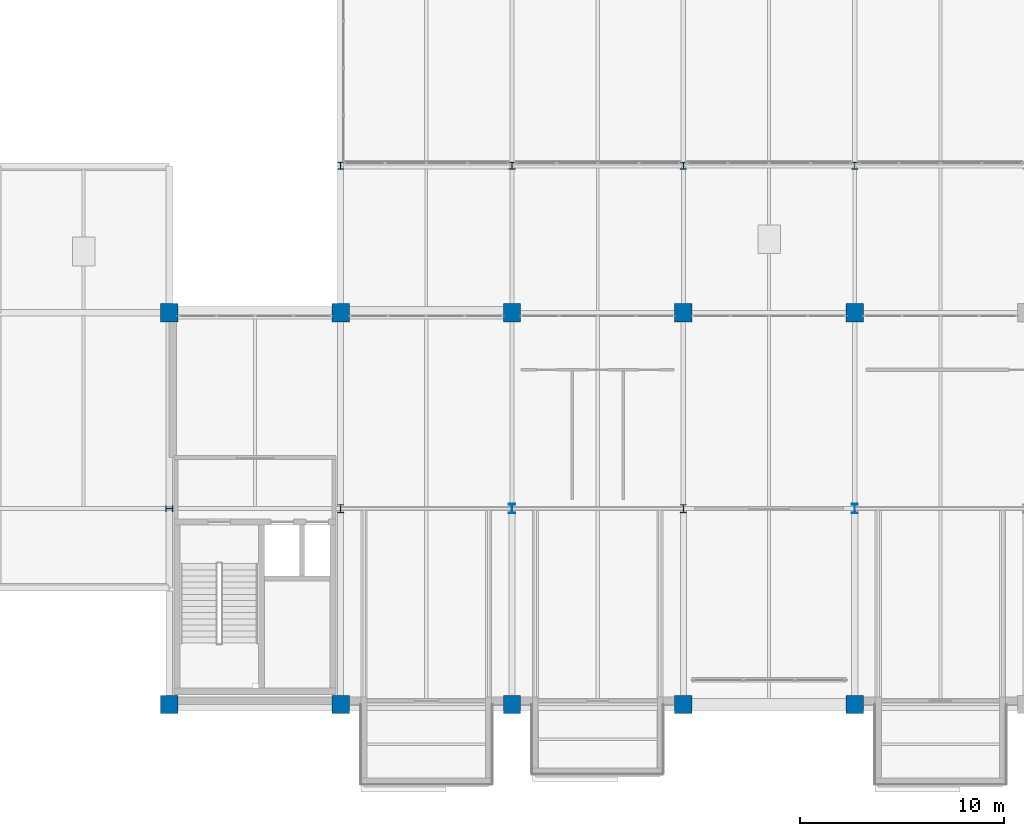
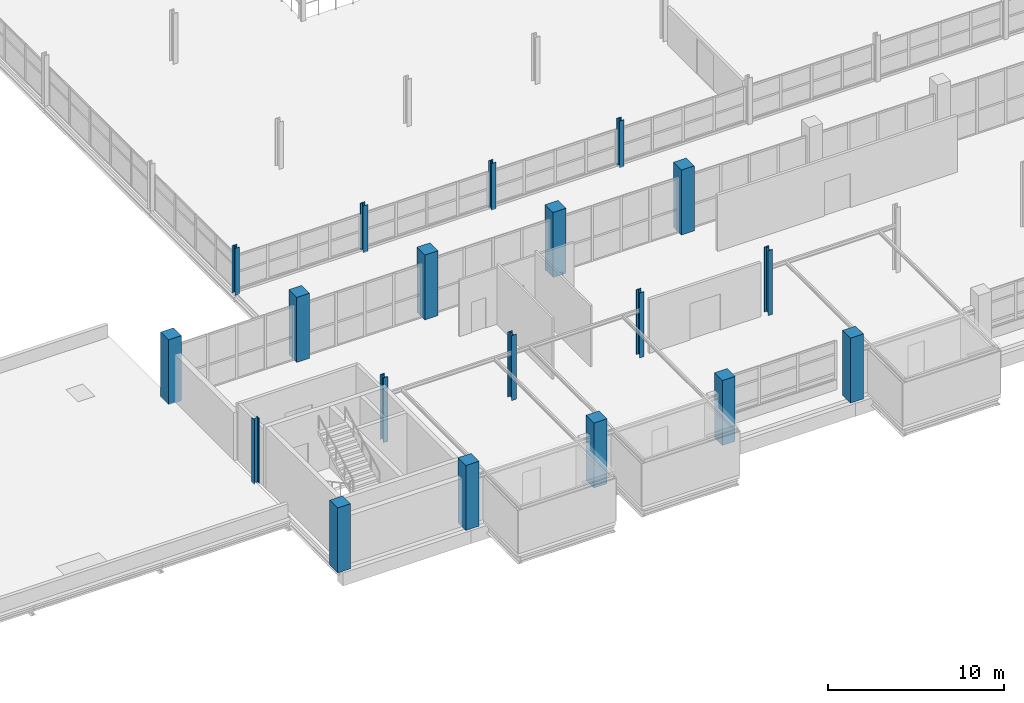
# One storey, part 1 of 103: 19 columns.
"""IFC4 building model written with IfcOpenShell, lengths in metres."""

import ifcopenshell
import ifcopenshell.guid

model = None  # the IFC model being written
_history = None  # IfcOwnerHistory: only IFC2X3 demands one
_inside = {}  # id of a spatial element -> (the spatial element, [elements in it])
_under = {}  # id of a project, library or spatial element -> (it, [spatial elements below it])
_declared = {}  # id of a project -> (the project, [libraries it declares])
_typed = {}  # id of a type object -> (the type object, [elements of that type])
_made_of = {}  # id of a material, layer set ... -> (it, [elements and type objects made of it])


def new_model(schema):
    """Start an empty IFC model of exactly this schema.

    Asked for "IFC4X3", IfcOpenShell would pick the latest addendum, in which some entities
    have other attributes; the version numbers below select the first issue.
    IFC2X3 requires an IfcOwnerHistory on every rooted entity: one is made here for all.
    """
    global model, _history
    if schema == "IFC4X3":
        model = ifcopenshell.file(schema_version=(4, 3, 0, 0))
    else:
        model = ifcopenshell.file(schema=schema)
    _inside.clear()
    _under.clear()
    _declared.clear()
    _typed.clear()
    _made_of.clear()
    _history = None
    if model.schema == "IFC2X3":
        org = make("IfcOrganization", Name="unknown")
        user = make(
            "IfcPersonAndOrganization",
            ThePerson=make("IfcPerson", FamilyName="unknown"),
            TheOrganization=org,
        )
        app = make(
            "IfcApplication",
            ApplicationDeveloper=org,
            Version="unknown",
            ApplicationFullName="unknown",
            ApplicationIdentifier="unknown",
        )
        _history = make(
            "IfcOwnerHistory",
            OwningUser=user,
            OwningApplication=app,
            ChangeAction="ADDED",
            CreationDate=0,
        )
    return model


def make(cls, **values):
    """One entity of the class cls with the attributes given. An attribute that is None is left unset."""
    return model.create_entity(
        cls, **{name: value for name, value in values.items() if value is not None}
    )


def rooted(cls, **values):
    """An entity with a GlobalId (a new one), such as an element, a storey or a relation."""
    return make(cls, GlobalId=ifcopenshell.guid.new(), OwnerHistory=_history, **values)


def si_unit(unit_type, name, prefix=None):
    """IfcSIUnit, for example si_unit("LENGTHUNIT", "METRE", prefix="MILLI")."""
    return make("IfcSIUnit", UnitType=unit_type, Prefix=prefix, Name=name)


def assignment(units):
    """IfcUnitAssignment: the units of a project."""
    return None if units is None else make("IfcUnitAssignment", Units=units)


def point(xyz):
    """IfcCartesianPoint."""
    return None if xyz is None else make("IfcCartesianPoint", Coordinates=xyz)


def direction(xyz):
    """IfcDirection."""
    return None if xyz is None else make("IfcDirection", DirectionRatios=xyz)


def frame(location, z_axis=None, x_axis=None):
    """IfcAxis2Placement3D, a coordinate frame: its origin and axes. An axis left out is left unset."""
    return make(
        "IfcAxis2Placement3D",
        Location=point(location),
        Axis=direction(z_axis),
        RefDirection=direction(x_axis),
    )


def frame_2d(location, x_axis=None):
    """IfcAxis2Placement2D, a coordinate frame in the plane: its origin and x axis."""
    return make(
        "IfcAxis2Placement2D", Location=point(location), RefDirection=direction(x_axis)
    )


def origin():
    """The frame at (0, 0, 0) with its axes left unset."""
    return frame((0.0, 0.0, 0.0))


def origin_2d():
    """The frame at (0, 0) in the plane with its x axis left unset."""
    return frame_2d((0.0, 0.0))


def place(relative_to, where):
    """IfcLocalPlacement: puts the frame where relative to a parent placement (None: the world)."""
    return make(
        "IfcLocalPlacement", PlacementRelTo=relative_to, RelativePlacement=where
    )


def context(
    kind, dimensions, precision=None, world=None, true_north=None, identifier=None
):
    """IfcGeometricRepresentationContext, for example the 3D "Model" context."""
    return make(
        "IfcGeometricRepresentationContext",
        ContextIdentifier=identifier,
        ContextType=kind,
        CoordinateSpaceDimension=dimensions,
        Precision=precision,
        WorldCoordinateSystem=world,
        TrueNorth=true_north,
    )


def subcontext(parent, identifier, kind, view, scale=None):
    """IfcGeometricRepresentationSubContext, for example "Body" below "Model"."""
    return make(
        "IfcGeometricRepresentationSubContext",
        ContextIdentifier=identifier,
        ContextType=kind,
        ParentContext=parent,
        TargetScale=scale,
        TargetView=view,
    )


def project(units=None, contexts=None):
    """IfcProject with its units and contexts."""
    return rooted(
        "IfcProject",
        Name="project",
        RepresentationContexts=contexts,
        UnitsInContext=assignment(units),
    )


def spatial(cls, under=None, at=None, **own):
    """A site, building, storey or space (cls), placed at a placement, below another one or the project."""
    s = rooted(cls, ObjectPlacement=at, **own)
    if under is not None:
        _under.setdefault(under.id(), (under, []))[1].append(s)
    return s


def profile(cls, at=None, kind="AREA", **sizes):
    """A parametric profile (cls). Its sizes go by their IFC names, for example OverallWidth=200.0."""
    return make(cls, ProfileType=kind, Position=at, **sizes)


def rectangle(**sizes):
    """IfcRectangleProfileDef."""
    return profile("IfcRectangleProfileDef", **sizes)


def i_section(**sizes):
    """IfcIShapeProfileDef."""
    return profile("IfcIShapeProfileDef", **sizes)


def extrude(swept, where, along, depth):
    """IfcExtrudedAreaSolid: the profile swept, set in the frame where, extruded along a direction by depth."""
    return make(
        "IfcExtrudedAreaSolid",
        SweptArea=swept,
        Position=where,
        ExtrudedDirection=direction(along),
        Depth=depth,
    )


def shape(context_of_items, identifier, shape_type, items):
    """IfcShapeRepresentation: the items that make up one representation, for example the "Body"."""
    return make(
        "IfcShapeRepresentation",
        ContextOfItems=context_of_items,
        RepresentationIdentifier=identifier,
        RepresentationType=shape_type,
        Items=items,
    )


def material(Name=None, Category=None):
    """IfcMaterial."""
    return make("IfcMaterial", Name=Name, Category=Category)


def material_profile(
    of_material, cross_section, Name=None, Category=None, Priority=None
):
    """IfcMaterialProfile: a cross section and its material."""
    return make(
        "IfcMaterialProfile",
        Name=Name,
        Material=of_material,
        Profile=cross_section,
        Priority=Priority,
        Category=Category,
    )


def profile_set(profiles, Name=None, composite=None):
    """IfcMaterialProfileSet."""
    return make(
        "IfcMaterialProfileSet",
        Name=Name,
        MaterialProfiles=profiles,
        CompositeProfile=composite,
    )


def made_of(thing, what):
    """Note that an element or type object is made of a material, layer set ...; save() writes the relation."""
    if what is not None:
        _made_of.setdefault(what.id(), (what, []))[1].append(thing)
    return thing


def type_object(cls, material=None, **own):
    """A type object (cls), such as IfcWallType, which elements share."""
    return made_of(rooted(cls, **own), material)


def element(
    cls,
    number,
    at=None,
    inside=None,
    cuts=None,
    type_object=None,
    material=None,
    context=None,
    identifier="Body",
    shape_type=None,
    held_by="IfcProductDefinitionShape",
    body=None,
    shapes=None,
    **own,
):
    """One element of the class cls, such as IfcWall. Its Tag is "e" and its number.

    at: its placement. inside: the storey or other place that contains it. cuts: it is an
    opening in that element (IfcRelVoidsElement). A single representation is given by context,
    identifier, shape_type and body (its items); several are given by shapes. held_by: the class
    of the entity that holds the representations. save() writes the other relations.
    """
    e = rooted(cls, Tag="e%d" % number, ObjectPlacement=at, **own)
    if body is not None:
        shapes = [shape(context, identifier, shape_type, body)]
    if shapes is not None:
        e.Representation = make(held_by, Representations=shapes)
    if inside is not None:
        _inside.setdefault(inside.id(), (inside, []))[1].append(e)
    if cuts is not None:
        rooted(
            "IfcRelVoidsElement", RelatingBuildingElement=cuts, RelatedOpeningElement=e
        )
    if type_object is not None:
        _typed.setdefault(type_object.id(), (type_object, []))[1].append(e)
    return made_of(e, material)


def aggregate(whole, parts):
    """IfcRelAggregates: a whole, such as a stair, and the parts it consists of."""
    return rooted("IfcRelAggregates", RelatingObject=whole, RelatedObjects=parts)


def save(model, path):
    """Write the relations noted so far, then the file.

    IfcRelAggregates (storeys below a building ...), IfcRelContainedInSpatialStructure (elements
    in a storey), IfcRelDefinesByType, IfcRelAssociatesMaterial and IfcRelDeclares: one each for
    every whole, place, type object, material and project.
    """
    for whole, parts in _under.values():
        aggregate(whole, parts)
    for where, things in _inside.values():
        rooted(
            "IfcRelContainedInSpatialStructure",
            RelatedElements=things,
            RelatingStructure=where,
        )
    for kind, things in _typed.values():
        rooted("IfcRelDefinesByType", RelatedObjects=things, RelatingType=kind)
    for what, things in _made_of.values():
        rooted("IfcRelAssociatesMaterial", RelatedObjects=things, RelatingMaterial=what)
    for by, libraries in _declared.values():
        rooted("IfcRelDeclares", RelatingContext=by, RelatedDefinitions=libraries)
    model.write(path)


model = new_model("IFC4")

# Units and contexts
model_context = context("Model", 3, precision=1e-05, world=origin(), true_north=direction((0.0, 1.0)))
body_context = subcontext(model_context, "Body", "Model", "MODEL_VIEW")
ifc_project = project(units=[si_unit("LENGTHUNIT", "METRE"), si_unit("AREAUNIT", "SQUARE_METRE"), si_unit("VOLUMEUNIT", "CUBIC_METRE"), si_unit("PLANEANGLEUNIT", "RADIAN"), si_unit("MASSUNIT", "GRAM", prefix="KILO")], contexts=[model_context])

# Site, building, storey
site_placement = place(None, origin())
site = spatial("IfcSite", under=ifc_project, at=site_placement, CompositionType="ELEMENT")
building_placement = place(site_placement, origin())
building = spatial("IfcBuilding", under=site, at=building_placement, Name="Veltarok Museum of Natural Sciences", CompositionType="ELEMENT")
storey_placement = place(building_placement, frame((0.0, 0.0, 21.89990234375)))
storey = spatial("IfcBuildingStorey", under=building, at=storey_placement, Name="L04", CompositionType="ELEMENT", Elevation=21.89990234375)

# Columns
ifc_material_1 = material(Name="Concrete C40/50", Category="concrete")
ifc_material_profile_1 = material_profile(ifc_material_1, rectangle(XDim=0.85009765625, YDim=0.89990234375, at=origin_2d()), Name="RC 850x900")
ifc_profile_set_1 = profile_set([ifc_material_profile_1], Name="Concrete C40/50")
column_type_1 = type_object("IfcColumnType", Name="Exposed Cabinet Grid Column RC 850x900", PredefinedType="COLUMN", material=ifc_profile_set_1)
for number, where, z_axis, x_axis, name in (
    (1, (31.60009765625, 0.0, 0.0), (0.0, 0.0, 1.0), (1.0, 0.0, 0.0), "Column COL-CAB01 L04 4/A"),
    (2, (31.60009765625, 19.199951171875, 0.0), (0.0, 0.0, 1.0), (1.0, 0.0, 0.0), "Column COL-CAB01 L04 4/C"),
    (3, (40.0, 0.0, 0.0), (0.0, 0.0, 1.0), (1.0, 0.0, 0.0), "Column COL-CAB01 L04 5/A"),
    (4, (40.0, 19.199951171875, 0.0), (0.0, 0.0, 1.0), (1.0, 0.0, 0.0), "Column COL-CAB01 L04 5/C"),
    (5, (48.39990234375, 0.0, 0.0), (0.0, 0.0, 1.0), (1.0, 0.0, 0.0), "Column COL-CAB01 L04 6/A"),
    (6, (48.39990234375, 19.199951171875, 0.0), (0.0, 0.0, 1.0), (1.0, 0.0, 0.0), "Column COL-CAB01 L04 6/C"),
    (7, (56.800048828125, 0.0, 0.0), (0.0, 0.0, 1.0), (1.0, 0.0, 0.0), "Column COL-CAB01 L04 7/A"),
    (8, (56.800048828125, 19.199951171875, 0.0), (0.0, 0.0, 1.0), (1.0, 0.0, 0.0), "Column COL-CAB01 L04 7/C"),
    (9, (65.199951171875, 0.0, 0.0), (0.0, 0.0, 1.0), (1.0, 0.0, 0.0), "Column COL-CAB01 L04 8/A"),
    (10, (65.199951171875, 19.199951171875, 0.0), (0.0, 0.0, 1.0), (1.0, 0.0, 0.0), "Column COL-CAB01 L04 8/C"),
):
    element("IfcColumn", number, at=place(storey_placement, frame(where, z_axis=z_axis, x_axis=x_axis)), inside=storey, type_object=column_type_1, Name=name, PredefinedType="COLUMN", context=body_context, shape_type="SweptSolid", body=[
        extrude(rectangle(XDim=0.85009765625, YDim=0.89990234375, at=origin_2d()), origin(), (0.0, 0.0, 1.0), 4.5),
    ])
ifc_material_2 = material(Name="Steel S355J2", Category="steel")
ifc_material_profile_2 = material_profile(ifc_material_2, i_section(OverallWidth=0.300048828125, OverallDepth=0.340087890625, WebThickness=0.011962890625, FlangeThickness=0.021484375, FilletRadius=0.027099609375, at=origin_2d()), Name="HEB 340")
ifc_profile_set_2 = profile_set([ifc_material_profile_2], Name="Steel S355J2")
column_type_2 = type_object("IfcColumnType", Name="Perimeter Spine Column HEB 340", PredefinedType="COLUMN", material=ifc_profile_set_2)
column_placement = place(storey_placement, frame((31.60009765625, 9.60009765625, 0.0), z_axis=(0.0, 0.0, 1.0), x_axis=(0.0, 1.0, 0.0)))
element("IfcColumn", 11, at=column_placement, inside=storey, type_object=column_type_2, Name="Column COL-EXT05 L04 4/B", PredefinedType="COLUMN", context=body_context, shape_type="SweptSolid", body=[
    extrude(i_section(OverallWidth=0.300048828125, OverallDepth=0.340087890625, WebThickness=0.011962890625, FlangeThickness=0.021484375, FilletRadius=0.027099609375, at=origin_2d()), origin(), (0.0, 0.0, 1.0), 4.5),
])
for number, where, z_axis, x_axis, name in (
    (12, (40.0, 26.39990234375, 0.0), (0.0, 0.0, 1.0), (1.0, 0.0, 0.0), "Column COL-EXT05 L04 5/D"),
    (13, (48.39990234375, 26.39990234375, 0.0), (0.0, 0.0, 1.0), (1.0, 0.0, 0.0), "Column COL-EXT05 L04 6/D"),
    (14, (56.800048828125, 26.39990234375, 0.0), (0.0, 0.0, 1.0), (1.0, 0.0, 0.0), "Column COL-EXT05 L04 7/D"),
    (15, (65.199951171875, 26.39990234375, 0.0), (0.0, 0.0, 1.0), (1.0, 0.0, 0.0), "Column COL-EXT05 L04 8/D"),
):
    element("IfcColumn", number, at=place(storey_placement, frame(where, z_axis=z_axis, x_axis=x_axis)), inside=storey, type_object=column_type_2, Name=name, PredefinedType="COLUMN", context=body_context, shape_type="SweptSolid", body=[
        extrude(i_section(OverallWidth=0.300048828125, OverallDepth=0.340087890625, WebThickness=0.011962890625, FlangeThickness=0.021484375, FilletRadius=0.027099609375, at=origin_2d()), origin(), (0.0, 0.0, 1.0), 3.260009765625),
    ])
ifc_material_profile_3 = material_profile(ifc_material_2, i_section(OverallWidth=0.300048828125, OverallDepth=0.39990234375, WebThickness=0.013427734375, FlangeThickness=0.02392578125, FilletRadius=0.027099609375, at=origin_2d()), Name="HEB 400")
ifc_profile_set_3 = profile_set([ifc_material_profile_3], Name="Steel S355J2")
column_type_3 = type_object("IfcColumnType", Name="Top Storey Column HEB 400", PredefinedType="COLUMN", material=ifc_profile_set_3)
for number, where, z_axis, x_axis, name in (
    (16, (40.0, 9.60009765625, 0.0), (0.0, 0.0, 1.0), (1.0, 0.0, 0.0), "Column COL-S06 L04 5/B"),
    (17, (56.800048828125, 9.60009765625, 0.0), (0.0, 0.0, 1.0), (1.0, 0.0, 0.0), "Column COL-S06 L04 7/B"),
):
    element("IfcColumn", number, at=place(storey_placement, frame(where, z_axis=z_axis, x_axis=x_axis)), inside=storey, type_object=column_type_3, Name=name, PredefinedType="COLUMN", context=body_context, shape_type="SweptSolid", body=[
        extrude(i_section(OverallWidth=0.300048828125, OverallDepth=0.39990234375, WebThickness=0.013427734375, FlangeThickness=0.02392578125, FilletRadius=0.027099609375, at=origin_2d()), origin(), (0.0, 0.0, 1.0), 4.5),
    ])
ifc_material_profile_4 = material_profile(ifc_material_2, i_section(OverallWidth=0.300048828125, OverallDepth=0.449951171875, WebThickness=0.013916015625, FlangeThickness=0.02587890625, FilletRadius=0.027099609375, at=origin_2d()), Name="HEB 450")
ifc_profile_set_4 = profile_set([ifc_material_profile_4], Name="Steel S355J2")
column_type_4 = type_object("IfcColumnType", Name="Upper Gallery Column HEB 450", PredefinedType="COLUMN", material=ifc_profile_set_4)
for number, where, z_axis, x_axis, name in (
    (18, (48.39990234375, 9.60009765625, 0.0), (0.0, 0.0, 1.0), (1.0, 0.0, 0.0), "Column COL-S11 L04 6/B"),
    (19, (65.199951171875, 9.60009765625, 0.0), (0.0, 0.0, 1.0), (1.0, 0.0, 0.0), "Column COL-S11 L04 8/B"),
):
    element("IfcColumn", number, at=place(storey_placement, frame(where, z_axis=z_axis, x_axis=x_axis)), inside=storey, type_object=column_type_4, Name=name, PredefinedType="COLUMN", context=body_context, shape_type="SweptSolid", body=[
        extrude(i_section(OverallWidth=0.300048828125, OverallDepth=0.449951171875, WebThickness=0.013916015625, FlangeThickness=0.02587890625, FilletRadius=0.027099609375, at=origin_2d()), origin(), (0.0, 0.0, 1.0), 4.5),
    ])

save(model, "model.ifc")
